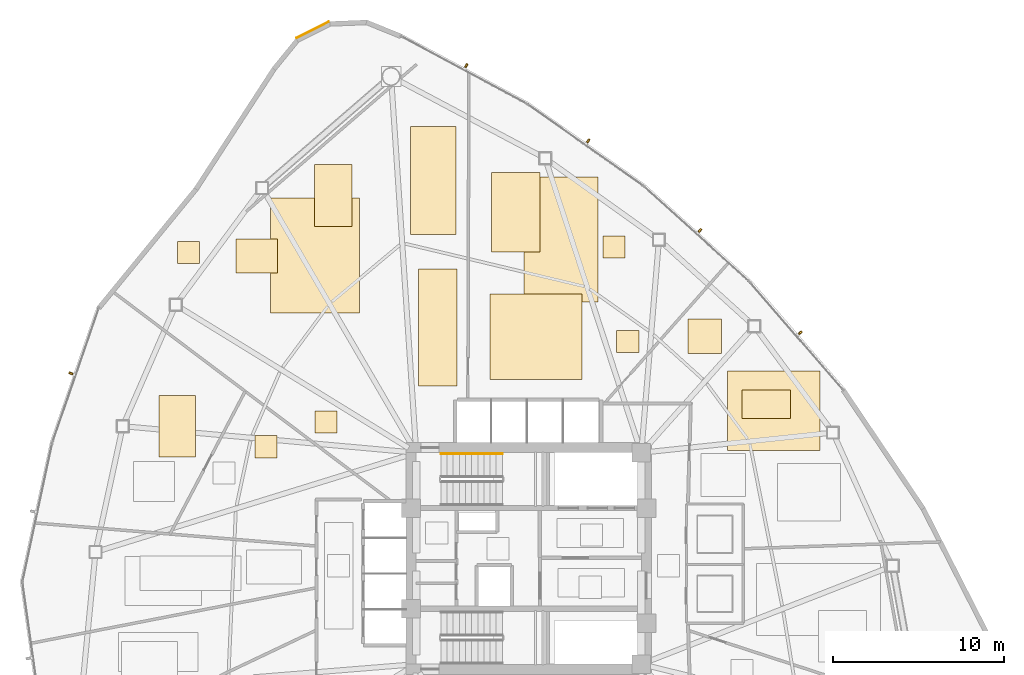
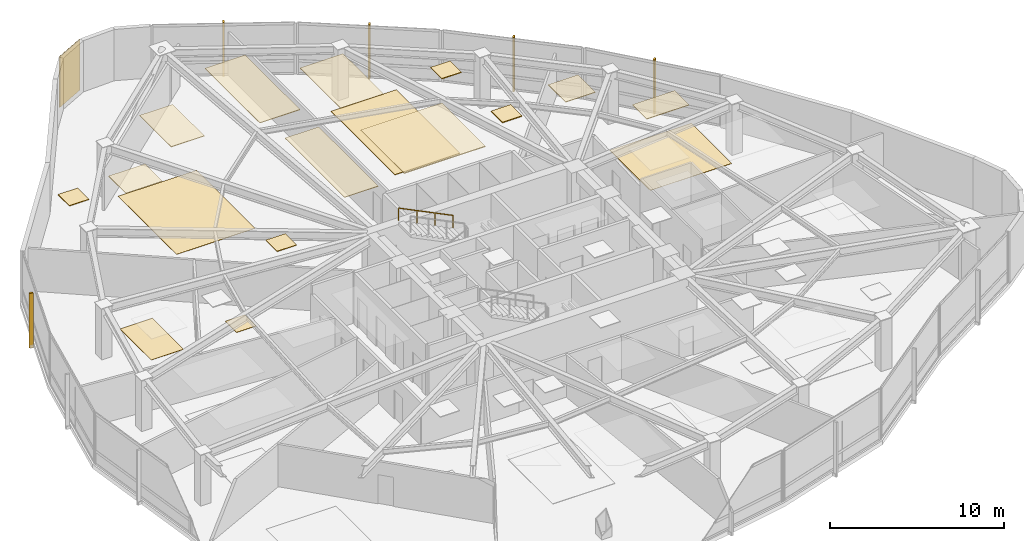
# One storey, part 17 of 17: 18 coverings, 5 shading devices, 1 railing.
"""IFC4 building model written with IfcOpenShell, lengths in metres."""

from ifc_helpers import new_model, si_unit, direction, frame, origin, origin_2d, place, context, subcontext, project, spatial, polyline, rectangle, outline, extrude, source, transform, mapped, material, layer, layer_set, type_object, type_shapes, element, save


model = new_model("IFC4")

# Units and contexts
model_context = context("Model", 3, precision=1e-05, world=origin(), true_north=direction((0.0, 1.0)))
body_context = subcontext(model_context, "Body", "Model", "MODEL_VIEW")
ifc_project = project(units=[si_unit("LENGTHUNIT", "METRE"), si_unit("AREAUNIT", "SQUARE_METRE"), si_unit("VOLUMEUNIT", "CUBIC_METRE"), si_unit("PLANEANGLEUNIT", "RADIAN"), si_unit("MASSUNIT", "GRAM", prefix="KILO")], contexts=[model_context])

# Site, building, storey
site_placement = place(None, origin())
site = spatial("IfcSite", under=ifc_project, at=site_placement, CompositionType="ELEMENT")
building_placement = place(site_placement, origin())
building = spatial("IfcBuilding", under=site, at=building_placement, Name="Tavelor Broadcast Tower", CompositionType="ELEMENT")
storey_placement = place(building_placement, frame((0.0, 0.0, 86.10009765625)))
storey = spatial("IfcBuildingStorey", under=building, at=storey_placement, Name="L20", CompositionType="ELEMENT", Elevation=86.10009765625)

# Covering
ifc_material_1 = material(Name="Copper-Bronze Anodized Aluminium", Category="aluminium")
ifc_layer_1 = layer(ifc_material_1, 0.050048828125)
ifc_layer_set_1 = layer_set([ifc_layer_1], Name="Copper-Bronze Anodized Aluminium")
covering_type_1 = type_object("IfcCoveringType", Name="Champagne-Bronze Corner Pier Metal Cladding 50 mm", PredefinedType="CLADDING", material=ifc_layer_set_1)
covering_1_placement = place(storey_placement, frame((37.326904296875, 76.001220703125, 0.019775390625), z_axis=(0.0, 0.0, 1.0), x_axis=(-0.894544639838, -0.446978620671, 0.0)))
element("IfcCovering", 1, at=covering_1_placement, inside=storey, type_object=covering_type_1, Name="L20 Champagne-Bronze Corner Cladding 03", PredefinedType="CLADDING", context=body_context, shape_type="SweptSolid", body=[
    extrude(rectangle(XDim=2.1064453125, YDim=0.050048828125, at=origin_2d()), origin(), (0.0, 0.0, 1.0), 3.56005859375),
])

# Railing
ifc_material_2 = material(Name="Steel S355", Category="steel")
railing_type = type_object("IfcRailingType", Name="Continuous Brushed Stainless Handrail 900 mm", PredefinedType="HANDRAIL", material=ifc_material_2)
railing_placement = place(storey_placement, frame((48.449951171875, 51.14990234375, 2.127197265625)))
element("IfcRailing", 2, at=railing_placement, inside=storey, type_object=railing_type, Name="L20 ST1 stair handrail 2", PredefinedType="HANDRAIL", context=body_context, shape_type="SweptSolid", body=[
    extrude(rectangle(XDim=0.048095703125, YDim=0.048095703125, at=origin_2d()), frame((0.0, 0.0, 0.8759765625), z_axis=(-0.897124305991, 0.0, 0.441778201817), x_axis=(0.0, -1.0, 0.0)), (0.0, 0.0, 1.0), 4.0126953125),
    extrude(rectangle(XDim=0.0419921875, YDim=0.0419921875, at=origin_2d()), origin(), (0.0, 0.0, 1.0), 0.851806640625),
    extrude(rectangle(XDim=0.0419921875, YDim=0.0419921875, at=origin_2d()), frame((-1.199951171875, 0.0, 0.5908203125)), (0.0, 0.0, 1.0), 0.851806640625),
    extrude(rectangle(XDim=0.0419921875, YDim=0.0419921875, at=origin_2d()), frame((-2.39990234375, 0.0, 1.181884765625)), (0.0, 0.0, 1.0), 0.851806640625),
    extrude(rectangle(XDim=0.0419921875, YDim=0.0419921875, at=origin_2d()), frame((-3.599853515625, 0.0, 1.772705078125)), (0.0, 0.0, 1.0), 0.851806640625),
])

# Coverings
ifc_material_3 = material(Name="Acoustic Nylon Carpet Tile")
ifc_layer_2 = layer(ifc_material_3, 0.02001953125)
ifc_layer_set_2 = layer_set([ifc_layer_2], Name="Acoustic Nylon Carpet Tile")
covering_type_2 = type_object("IfcCoveringType", Name="Heavy-Duty Acoustic Broadcast Carpet Tile 20 mm", PredefinedType="FLOORING", material=ifc_layer_set_2)
covering_2_placement = place(storey_placement, origin())
element("IfcCovering", 3, at=covering_2_placement, inside=storey, type_object=covering_type_2, Name="L20 Broadcast Floor Finish 0299", PredefinedType="FLOORING", context=body_context, shape_type="SweptSolid", body=[
    extrude(outline(polyline([(28.302978515625, 50.9619140625), (30.453125, 50.9619140625), (30.453125, 54.560302734375), (28.302978515625, 54.560302734375), (28.302978515625, 50.9619140625)])), origin(), (0.0, 0.0, 1.0), 0.02001953125),
])
covering_3_placement = place(storey_placement, origin())
element("IfcCovering", 4, at=covering_3_placement, inside=storey, type_object=covering_type_2, Name="L20 Broadcast Floor Finish 0300", PredefinedType="FLOORING", context=body_context, shape_type="SweptSolid", body=[
    extrude(outline(polyline([(34.863525390625, 59.40625), (40.080322265625, 59.40625), (40.080322265625, 66.133056640625), (34.863525390625, 66.133056640625), (34.863525390625, 59.40625)])), origin(), (0.0, 0.0, 1.0), 0.02001953125),
])
covering_4_placement = place(storey_placement, origin())
element("IfcCovering", 5, at=covering_4_placement, inside=storey, type_object=covering_type_2, Name="L20 Broadcast Floor Finish 0302", PredefinedType="FLOORING", context=body_context, shape_type="SweptSolid", body=[
    extrude(outline(polyline([(61.66259765625, 51.333740234375), (67.07763671875, 51.333740234375), (67.07763671875, 55.993896484375), (61.66259765625, 55.993896484375), (61.66259765625, 51.333740234375)])), origin(), (0.0, 0.0, 1.0), 0.02001953125),
])
covering_5_placement = place(storey_placement, origin())
element("IfcCovering", 6, at=covering_5_placement, inside=storey, type_object=covering_type_2, Name="L20 Broadcast Floor Finish 0304", PredefinedType="FLOORING", context=body_context, shape_type="SweptSolid", body=[
    extrude(outline(polyline([(33.939208984375, 50.90185546875), (35.2392578125, 50.90185546875), (35.2392578125, 52.201904296875), (33.939208984375, 52.201904296875), (33.939208984375, 50.90185546875)])), origin(), (0.0, 0.0, 1.0), 0.02001953125),
])
ifc_material_4 = material(Name="Acoustic Hardwood Studio Flooring", Category="wood")
ifc_layer_3 = layer(ifc_material_4, 0.034912109375)
ifc_layer_set_3 = layer_set([ifc_layer_3], Name="Acoustic Hardwood Studio Flooring")
covering_type_3 = type_object("IfcCoveringType", Name="Isolated Studio Acoustic Elastomeric Floor Finish 35 mm", PredefinedType="FLOORING", material=ifc_layer_set_3)
covering_6_placement = place(storey_placement, origin())
element("IfcCovering", 7, at=covering_6_placement, inside=storey, type_object=covering_type_3, Name="L20 Broadcast Floor Finish 0301", PredefinedType="FLOORING", context=body_context, shape_type="SweptSolid", body=[
    extrude(outline(polyline([(49.728515625, 60.02685546875), (54.047607421875, 60.02685546875), (54.047607421875, 67.374267578125), (49.728515625, 67.374267578125), (49.728515625, 60.02685546875)])), origin(), (0.0, 0.0, 1.0), 0.034912109375),
])
ifc_material_5 = material(Name="Acoustic Perforated Timber Baffle", Category="wood")
ifc_layer_4 = layer(ifc_material_5, 0.054931640625)
ifc_layer_set_4 = layer_set([ifc_layer_4], Name="Acoustic Perforated Timber Baffle")
covering_type_4 = type_object("IfcCoveringType", Name="Micro-Perforated Acoustic Baffle Studio Ceiling 55 mm", PredefinedType="CEILING", material=ifc_layer_set_4)
covering_7_placement = place(storey_placement, frame((0.0, 0.0, 3.544921875)))
element("IfcCovering", 8, at=covering_7_placement, inside=storey, type_object=covering_type_4, Name="L20 Suspended Acoustic Ceiling 0863", PredefinedType="CEILING", context=body_context, shape_type="SweptSolid", body=[
    extrude(outline(polyline([(47.71630859375, 55.49609375), (53.118896484375, 55.49609375), (53.118896484375, 60.501708984375), (47.71630859375, 60.501708984375), (47.71630859375, 55.49609375)])), origin(), (0.0, 0.0, 1.0), 0.054931640625),
])
covering_8_placement = place(storey_placement, frame((0.0, 0.0, 3.544921875)))
element("IfcCovering", 9, at=covering_8_placement, inside=storey, type_object=covering_type_4, Name="L20 Suspended Acoustic Ceiling 0864", PredefinedType="CEILING", context=body_context, shape_type="SweptSolid", body=[
    extrude(outline(polyline([(47.81103515625, 62.962646484375), (50.664306640625, 62.962646484375), (50.664306640625, 67.62451171875), (47.81103515625, 67.62451171875), (47.81103515625, 62.962646484375)])), origin(), (0.0, 0.0, 1.0), 0.054931640625),
])
covering_9_placement = place(storey_placement, frame((0.0, 0.0, 3.544921875)))
element("IfcCovering", 10, at=covering_9_placement, inside=storey, type_object=covering_type_4, Name="L20 Suspended Acoustic Ceiling 0865", PredefinedType="CEILING", context=body_context, shape_type="SweptSolid", body=[
    extrude(outline(polyline([(55.159423828125, 57.079345703125), (56.45947265625, 57.079345703125), (56.45947265625, 58.37939453125), (55.159423828125, 58.37939453125), (55.159423828125, 57.079345703125)])), origin(), (0.0, 0.0, 1.0), 0.054931640625),
])
covering_10_placement = place(storey_placement, frame((0.0, 0.0, 3.544921875)))
element("IfcCovering", 11, at=covering_10_placement, inside=storey, type_object=covering_type_4, Name="L20 Suspended Acoustic Ceiling 0866", PredefinedType="CEILING", context=body_context, shape_type="SweptSolid", body=[
    extrude(outline(polyline([(54.34130859375, 62.618896484375), (55.641357421875, 62.618896484375), (55.641357421875, 63.918701171875), (54.34130859375, 63.918701171875), (54.34130859375, 62.618896484375)])), origin(), (0.0, 0.0, 1.0), 0.054931640625),
])
ifc_material_6 = material(Name="Acoustic Mineral Fibre Tile")
ifc_layer_5 = layer(ifc_material_6, 0.0400390625)
ifc_layer_set_5 = layer_set([ifc_layer_5], Name="Acoustic Mineral Fibre Tile")
covering_type_5 = type_object("IfcCoveringType", Name="Suspended Acoustic Mineral-Fibre Office Ceiling 40 mm", PredefinedType="CEILING", material=ifc_layer_set_5)
covering_11_placement = place(storey_placement, frame((0.0, 0.0, 3.559814453125)))
element("IfcCovering", 12, at=covering_11_placement, inside=storey, type_object=covering_type_5, Name="L20 Suspended Acoustic Ceiling 0857", PredefinedType="CEILING", context=body_context, shape_type="SweptSolid", body=[
    extrude(outline(polyline([(29.397705078125, 62.288818359375), (30.697509765625, 62.288818359375), (30.697509765625, 63.5888671875), (29.397705078125, 63.5888671875), (29.397705078125, 62.288818359375)])), origin(), (0.0, 0.0, 1.0), 0.0400390625),
])
covering_12_placement = place(storey_placement, frame((0.0, 0.0, 3.559814453125)))
element("IfcCovering", 13, at=covering_12_placement, inside=storey, type_object=covering_type_5, Name="L20 Suspended Acoustic Ceiling 0858", PredefinedType="CEILING", context=body_context, shape_type="SweptSolid", body=[
    extrude(outline(polyline([(32.840576171875, 61.742431640625), (35.267333984375, 61.742431640625), (35.267333984375, 63.742919921875), (32.840576171875, 63.742919921875), (32.840576171875, 61.742431640625)])), origin(), (0.0, 0.0, 1.0), 0.0400390625),
])
covering_13_placement = place(storey_placement, frame((0.0, 0.0, 3.559814453125)))
element("IfcCovering", 14, at=covering_13_placement, inside=storey, type_object=covering_type_5, Name="L20 Suspended Acoustic Ceiling 0859", PredefinedType="CEILING", context=body_context, shape_type="SweptSolid", body=[
    extrude(outline(polyline([(37.434326171875, 64.480224609375), (39.633056640625, 64.480224609375), (39.633056640625, 68.120361328125), (37.434326171875, 68.120361328125), (37.434326171875, 64.480224609375)])), origin(), (0.0, 0.0, 1.0), 0.0400390625),
])
covering_14_placement = place(storey_placement, frame((0.0, 0.0, 3.559814453125)))
element("IfcCovering", 15, at=covering_14_placement, inside=storey, type_object=covering_type_5, Name="L20 Suspended Acoustic Ceiling 0860", PredefinedType="CEILING", context=body_context, shape_type="SweptSolid", body=[
    extrude(outline(polyline([(43.05029296875, 64.011474609375), (45.720947265625, 64.011474609375), (45.720947265625, 70.32861328125), (43.05029296875, 70.32861328125), (43.05029296875, 64.011474609375)])), origin(), (0.0, 0.0, 1.0), 0.0400390625),
])
covering_15_placement = place(storey_placement, frame((0.0, 0.0, 3.559814453125)))
element("IfcCovering", 16, at=covering_15_placement, inside=storey, type_object=covering_type_5, Name="L20 Suspended Acoustic Ceiling 0861", PredefinedType="CEILING", context=body_context, shape_type="SweptSolid", body=[
    extrude(outline(polyline([(43.54248046875, 55.110107421875), (45.780517578125, 55.110107421875), (45.780517578125, 61.966796875), (43.54248046875, 61.966796875), (43.54248046875, 55.110107421875)])), origin(), (0.0, 0.0, 1.0), 0.0400390625),
])
covering_16_placement = place(storey_placement, frame((0.0, 0.0, 3.559814453125)))
element("IfcCovering", 17, at=covering_16_placement, inside=storey, type_object=covering_type_5, Name="L20 Suspended Acoustic Ceiling 0862", PredefinedType="CEILING", context=body_context, shape_type="SweptSolid", body=[
    extrude(outline(polyline([(37.4619140625, 52.352294921875), (38.76171875, 52.352294921875), (38.76171875, 53.652099609375), (37.4619140625, 53.652099609375), (37.4619140625, 52.352294921875)])), origin(), (0.0, 0.0, 1.0), 0.0400390625),
])
covering_17_placement = place(storey_placement, frame((0.0, 0.0, 3.559814453125)))
element("IfcCovering", 18, at=covering_17_placement, inside=storey, type_object=covering_type_5, Name="L20 Suspended Acoustic Ceiling 0867", PredefinedType="CEILING", context=body_context, shape_type="SweptSolid", body=[
    extrude(outline(polyline([(59.326171875, 57.02490234375), (61.303955078125, 57.02490234375), (61.303955078125, 59.03125), (59.326171875, 59.03125), (59.326171875, 57.02490234375)])), origin(), (0.0, 0.0, 1.0), 0.0400390625),
])
covering_18_placement = place(storey_placement, frame((0.0, 0.0, 3.559814453125)))
element("IfcCovering", 19, at=covering_18_placement, inside=storey, type_object=covering_type_5, Name="L20 Suspended Acoustic Ceiling 0870", PredefinedType="CEILING", context=body_context, shape_type="SweptSolid", body=[
    extrude(outline(polyline([(62.515380859375, 53.22216796875), (65.340087890625, 53.22216796875), (65.340087890625, 54.876220703125), (62.515380859375, 54.876220703125), (62.515380859375, 53.22216796875)])), origin(), (0.0, 0.0, 1.0), 0.0400390625),
])

# Shading devices
ifc_material_7 = material(Name="Kiln-Fired Glazed Terracotta", Category="masonry")
shading_device_type = type_object("IfcShadingDeviceType", Name="Extruded Terracotta Baguette Sun-Screen 110x240", PredefinedType="JALOUSIE", material=ifc_material_7)
shared_shape = source(origin(), body_context, "Body", "SweptSolid", [
    extrude(rectangle(XDim=0.110107421875, YDim=0.239990234375, at=origin_2d()), origin(), (0.0, 0.0, 1.0), 3.840087890625),
])
type_shapes(shading_device_type, [shared_shape])
for number, where, z_axis, x_axis, name in (
    (20, (23.145263671875, 55.8544921875, -0.26025390625), (0.0, 0.0, 1.0), (-0.326888029655, -0.94506307518, 0.0), "L20 Terracotta Baguette Fin 193"),
    (21, (65.92724609375, 58.24267578125, -0.26025390625), (0.0, 0.0, 1.0), (-0.655004616457, 0.755624875464, 0.0), "L20 Terracotta Baguette Fin 201"),
    (22, (60.048583984375, 64.24560546875, -0.26025390625), (0.0, 0.0, 1.0), (-0.741741772739, 0.670685576537, 0.0), "L20 Terracotta Baguette Fin 202"),
    (23, (53.487060546875, 69.492919921875, -0.26025390625), (0.0, 0.0, 1.0), (-0.817446605564, 0.576004381105, 0.0), "L20 Terracotta Baguette Fin 203"),
    (24, (46.338623046875, 73.90771484375, -0.26025390625), (0.0, 0.0, 1.0), (-0.881138447042, 0.472858369012, 0.0), "L20 Terracotta Baguette Fin 204"),
):
    element("IfcShadingDevice", number, at=place(storey_placement, frame(where, z_axis=z_axis, x_axis=x_axis)), inside=storey, type_object=shading_device_type, Name=name, PredefinedType="JALOUSIE", context=body_context, shape_type="MappedRepresentation", body=[
        mapped(shared_shape, transform((0.0, 0.0, 0.0), scale=1.0)),
    ])

save(model, "model.ifc")
